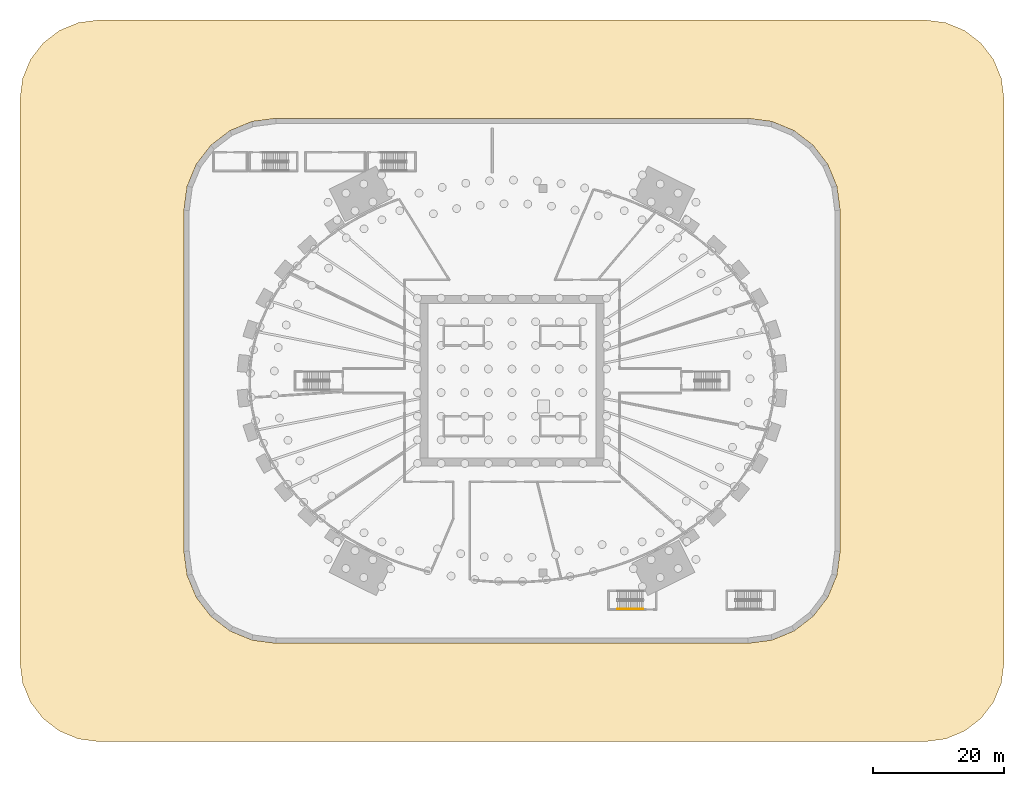
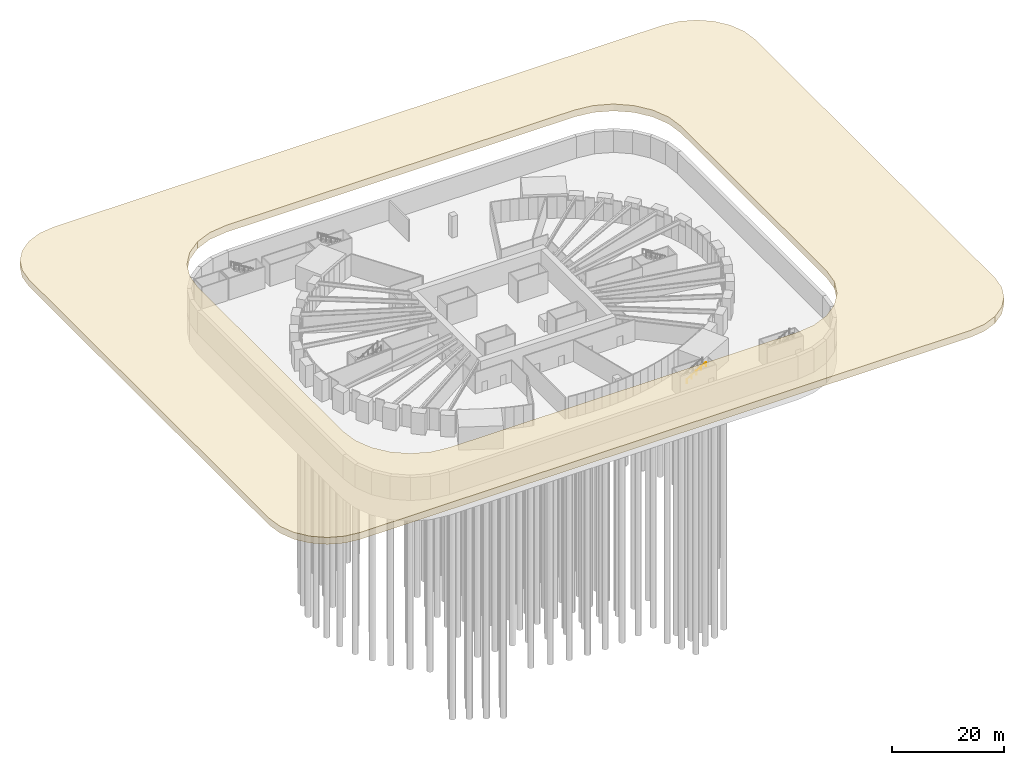
# One storey, part 10 of 14: 1 covering, 1 railing.
"""IFC4 building model written with IfcOpenShell, lengths in metres."""

from ifc_helpers import new_model, si_unit, direction, frame, origin, origin_2d, place, context, subcontext, project, spatial, polyline, circle, outline, extrude, source, transform, mapped, material, type_object, element, save


model = new_model("IFC4")

# Units and contexts
model_context = context("Model", 3, precision=1e-05, world=origin(), true_north=direction((0.0, 1.0)))
body_context = subcontext(model_context, "Body", "Model", "MODEL_VIEW")
ifc_project = project(units=[si_unit("LENGTHUNIT", "METRE"), si_unit("AREAUNIT", "SQUARE_METRE"), si_unit("VOLUMEUNIT", "CUBIC_METRE"), si_unit("PLANEANGLEUNIT", "RADIAN"), si_unit("MASSUNIT", "GRAM", prefix="KILO")], contexts=[model_context])

# Site, building, storey
site_placement = place(None, origin())
site = spatial("IfcSite", under=ifc_project, at=site_placement, CompositionType="ELEMENT")
building_placement = place(site_placement, origin())
building = spatial("IfcBuilding", under=site, at=building_placement, Name="Embergate Tower", CompositionType="ELEMENT")
storey_placement = place(building_placement, frame((0.0, 0.0, -10.0)))
storey = spatial("IfcBuildingStorey", under=building, at=storey_placement, Name="B2", CompositionType="ELEMENT", Elevation=-10.0)

# Covering
ifc_material_1 = material(Name="Made ground and alluvial gravel")
covering_type = type_object("IfcCoveringType", Name="Ground slab made ground over alluvial gravel", PredefinedType="USERDEFINED", material=ifc_material_1)
shared_shape_1 = source(origin(), body_context, "Body", "SweptSolid", [
    extrude(outline(polyline([(0.0, 0.0), (126.0, 0.0), (129.10595703125, 0.408935546875), (132.0, 1.60791015625), (134.485107421875, 3.514892578125), (136.39208984375, 6.0), (137.591064453125, 8.89404296875), (138.0, 12.0), (138.0, 98.0), (137.591064453125, 101.10595703125), (136.39208984375, 104.0), (134.485107421875, 106.485107421875), (132.0, 108.39208984375), (129.10595703125, 109.591064453125), (126.0, 110.0), (0.0, 110.0), (-3.10595703125, 109.591064453125), (-6.0, 108.39208984375), (-8.485107421875, 106.485107421875), (-10.39208984375, 104.0), (-11.591064453125, 101.10595703125), (-12.0, 98.0), (-12.0, 12.0), (-11.591064453125, 8.89404296875), (-10.39208984375, 6.0), (-8.485107421875, 3.514892578125), (-6.0, 1.60791015625), (-3.10595703125, 0.408935546875), (0.0, 0.0)]), holes=[polyline([(27.0, 15.0), (23.376953125, 15.47705078125), (20.0, 16.8759765625), (17.10107421875, 19.10107421875), (14.8759765625, 22.0), (13.47705078125, 25.376953125), (13.0, 29.0), (13.0, 81.0), (13.47705078125, 84.623046875), (14.8759765625, 88.0), (17.10107421875, 90.89892578125), (20.0, 93.1240234375), (23.376953125, 94.52294921875), (27.0, 95.0), (99.0, 95.0), (102.623046875, 94.52294921875), (106.0, 93.1240234375), (108.89892578125, 90.89892578125), (111.1240234375, 88.0), (112.52294921875, 84.623046875), (113.0, 81.0), (113.0, 29.0), (112.52294921875, 25.376953125), (111.1240234375, 22.0), (108.89892578125, 19.10107421875), (106.0, 16.8759765625), (102.623046875, 15.47705078125), (99.0, 15.0), (27.0, 15.0)])]), origin(), (0.0, 0.0, 1.0), 1.5),
])
covering_placement = place(storey_placement, frame((-63.0, -55.0, 8.5)))
element("IfcCovering", 1, at=covering_placement, inside=storey, type_object=covering_type, Name="Ground slab round the basement", ObjectType="GROUND", PredefinedType="USERDEFINED", context=body_context, shape_type="MappedRepresentation", body=[
    mapped(shared_shape_1, transform((0.0, 0.0, 0.0))),
])

# Railing
ifc_material_2 = material(Name="Steel", Category="steel")
railing_type = type_object("IfcRailingType", Name="Exit stair handrail 900", PredefinedType="HANDRAIL", material=ifc_material_2)
shared_shape_2 = source(origin(), body_context, "Body", "SweptSolid", [
    extrude(circle(Radius=0.02392578125, at=origin_2d()), frame((0.0, 0.0, 0.8759765625), z_axis=(0.859296244711, 0.0, 0.511478214419), x_axis=(0.0, 1.0, 0.0)), (0.0, 0.0, 1.0), 4.561767578125),
    extrude(circle(Radius=0.02099609375, at=origin_2d()), origin(), (0.0, 0.0, 1.0), 0.851806640625),
    extrude(circle(Radius=0.02099609375, at=origin_2d()), frame((0.97998046875, 0.0, 0.583251953125)), (0.0, 0.0, 1.0), 0.851806640625),
    extrude(circle(Radius=0.02099609375, at=origin_2d()), frame((1.9599609375, 0.0, 1.16650390625)), (0.0, 0.0, 1.0), 0.851806640625),
    extrude(circle(Radius=0.02099609375, at=origin_2d()), frame((2.93994140625, 0.0, 1.75)), (0.0, 0.0, 1.0), 0.851806640625),
    extrude(circle(Radius=0.02099609375, at=origin_2d()), frame((3.919921875, 0.0, 2.333251953125)), (0.0, 0.0, 1.0), 0.851806640625),
])
railing_placement = place(storey_placement, frame((16.080078125, -34.800048828125, 2.666748046875)))
element("IfcRailing", 2, at=railing_placement, inside=storey, type_object=railing_type, Name="B2 XS3 stair handrail 2", PredefinedType="HANDRAIL", context=body_context, shape_type="MappedRepresentation", body=[
    mapped(shared_shape_2, transform((0.0, 0.0, 0.0))),
])

save(model, "model.ifc")
